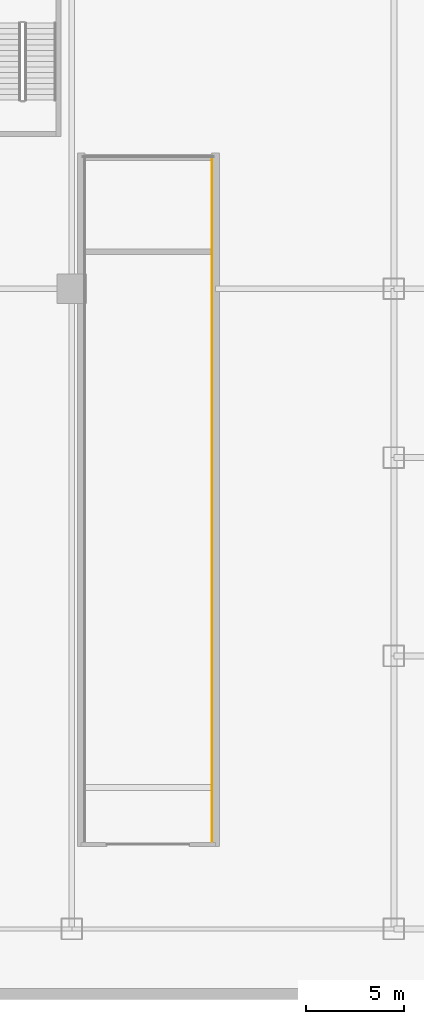
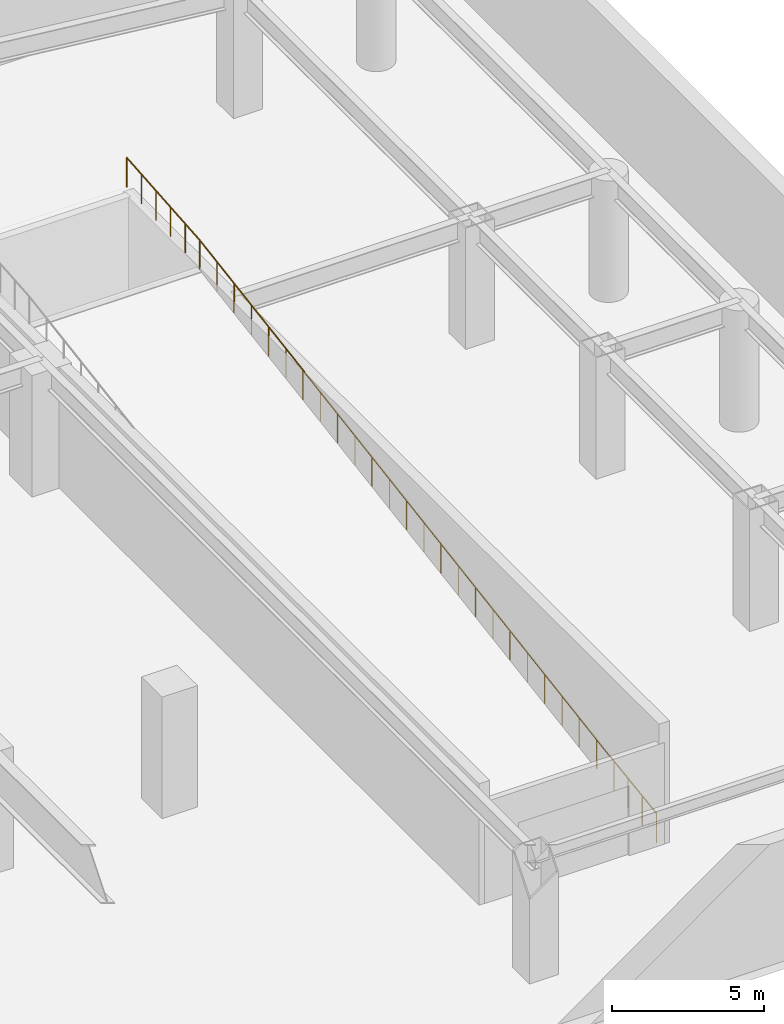
# One storey, part 13 of 13: 1 railing.
"""IFC4 building model written with IfcOpenShell, lengths in metres."""

from ifc_helpers import new_model, si_unit, direction, frame, origin, origin_2d, place, context, subcontext, project, spatial, circle, extrude, material, type_object, element, save


model = new_model("IFC4")

# Units and contexts
model_context = context("Model", 3, precision=1e-05, world=origin(), true_north=direction((0.0, 1.0)))
body_context = subcontext(model_context, "Body", "Model", "MODEL_VIEW")
ifc_project = project(units=[si_unit("LENGTHUNIT", "METRE"), si_unit("AREAUNIT", "SQUARE_METRE"), si_unit("VOLUMEUNIT", "CUBIC_METRE"), si_unit("PLANEANGLEUNIT", "RADIAN"), si_unit("MASSUNIT", "GRAM", prefix="KILO")], contexts=[model_context])

# Site, building, storey
site_placement = place(None, origin())
site = spatial("IfcSite", under=ifc_project, at=site_placement, CompositionType="ELEMENT")
building_placement = place(site_placement, origin())
building = spatial("IfcBuilding", under=site, at=building_placement, Name="Calvorn Quay Hotel", CompositionType="ELEMENT")
storey_placement = place(building_placement, frame((0.0, 0.0, -5.199951171875)))
storey = spatial("IfcBuildingStorey", under=building, at=storey_placement, Name="B1", CompositionType="ELEMENT", Elevation=-5.199951171875)

# Railing
ifc_material = material(Name="Pale Anodised Aluminium and Laminated Glass", Category="aluminium")
railing_type = type_object("IfcRailingType", Name="RLG-BALUSTRADE-1200", PredefinedType="BALUSTRADE", material=ifc_material)
railing_placement = place(storey_placement, frame((64.739990234375, 8.0, 0.0)))
element("IfcRailing", 1, at=railing_placement, inside=storey, type_object=railing_type, Name="Basement Vehicle Ramp Safety Guard E", PredefinedType="BALUSTRADE", context=body_context, shape_type="SweptSolid", body=[
    extrude(circle(Radius=0.02392578125, at=origin_2d()), frame((0.0, 0.0, 1.17578125), z_axis=(0.0, 0.989954671939, 0.141385103552), x_axis=(-1.0, 0.0, 0.0)), (0.0, 0.0, 1.0), 2.828369140625),
    extrude(circle(Radius=0.02392578125, at=origin_2d()), frame((0.0, 2.800048828125, 1.57568359375), z_axis=(0.0, 0.987240314238, 0.159237438885), x_axis=(-1.0, 0.0, 0.0)), (0.0, 0.0, 1.0), 27.632568359375),
    extrude(circle(Radius=0.02392578125, at=origin_2d()), frame((0.0, 30.080078125, 5.97607421875), z_axis=(0.0, 0.996547156423, 0.083028700011), x_axis=(-1.0, 0.0, 0.0)), (0.0, 0.0, 1.0), 4.81640625),
    extrude(circle(Radius=0.02099609375, at=origin_2d()), origin(), (0.0, 0.0, 1.0), 1.15185546875),
    extrude(circle(Radius=0.02099609375, at=origin_2d()), frame((0.0, 0.933349609375, 0.13330078125)), (0.0, 0.0, 1.0), 1.15185546875),
    extrude(circle(Radius=0.02099609375, at=origin_2d()), frame((0.0, 1.86669921875, 0.2666015625)), (0.0, 0.0, 1.0), 1.15185546875),
    extrude(circle(Radius=0.02099609375, at=origin_2d()), frame((0.0, 2.800048828125, 0.39990234375)), (0.0, 0.0, 1.0), 1.15185546875),
    extrude(circle(Radius=0.02099609375, at=origin_2d()), frame((0.0, 3.936767578125, 0.583251953125)), (0.0, 0.0, 1.0), 1.15185546875),
    extrude(circle(Radius=0.02099609375, at=origin_2d()), frame((0.0, 5.073486328125, 0.7666015625)), (0.0, 0.0, 1.0), 1.15185546875),
    extrude(circle(Radius=0.02099609375, at=origin_2d()), frame((0.0, 6.2099609375, 0.949951171875)), (0.0, 0.0, 1.0), 1.15185546875),
    extrude(circle(Radius=0.02099609375, at=origin_2d()), frame((0.0, 7.3466796875, 1.13330078125)), (0.0, 0.0, 1.0), 1.15185546875),
    extrude(circle(Radius=0.02099609375, at=origin_2d()), frame((0.0, 8.4833984375, 1.316650390625)), (0.0, 0.0, 1.0), 1.15185546875),
    extrude(circle(Radius=0.02099609375, at=origin_2d()), frame((0.0, 9.6201171875, 1.5)), (0.0, 0.0, 1.0), 1.15185546875),
    extrude(circle(Radius=0.02099609375, at=origin_2d()), frame((0.0, 10.7568359375, 1.683349609375)), (0.0, 0.0, 1.0), 1.15185546875),
    extrude(circle(Radius=0.02099609375, at=origin_2d()), frame((0.0, 11.893310546875, 1.86669921875)), (0.0, 0.0, 1.0), 1.15185546875),
    extrude(circle(Radius=0.02099609375, at=origin_2d()), frame((0.0, 13.030029296875, 2.050048828125)), (0.0, 0.0, 1.0), 1.15185546875),
    extrude(circle(Radius=0.02099609375, at=origin_2d()), frame((0.0, 14.166748046875, 2.2333984375)), (0.0, 0.0, 1.0), 1.15185546875),
    extrude(circle(Radius=0.02099609375, at=origin_2d()), frame((0.0, 15.303466796875, 2.416748046875)), (0.0, 0.0, 1.0), 1.15185546875),
    extrude(circle(Radius=0.02099609375, at=origin_2d()), frame((0.0, 16.43994140625, 2.60009765625)), (0.0, 0.0, 1.0), 1.15185546875),
    extrude(circle(Radius=0.02099609375, at=origin_2d()), frame((0.0, 17.57666015625, 2.783203125)), (0.0, 0.0, 1.0), 1.15185546875),
    extrude(circle(Radius=0.02099609375, at=origin_2d()), frame((0.0, 18.71337890625, 2.966552734375)), (0.0, 0.0, 1.0), 1.15185546875),
    extrude(circle(Radius=0.02099609375, at=origin_2d()), frame((0.0, 19.85009765625, 3.14990234375)), (0.0, 0.0, 1.0), 1.15185546875),
    extrude(circle(Radius=0.02099609375, at=origin_2d()), frame((0.0, 20.98681640625, 3.333251953125)), (0.0, 0.0, 1.0), 1.15185546875),
    extrude(circle(Radius=0.02099609375, at=origin_2d()), frame((0.0, 22.123291015625, 3.5166015625)), (0.0, 0.0, 1.0), 1.15185546875),
    extrude(circle(Radius=0.02099609375, at=origin_2d()), frame((0.0, 23.260009765625, 3.699951171875)), (0.0, 0.0, 1.0), 1.15185546875),
    extrude(circle(Radius=0.02099609375, at=origin_2d()), frame((0.0, 24.396728515625, 3.88330078125)), (0.0, 0.0, 1.0), 1.15185546875),
    extrude(circle(Radius=0.02099609375, at=origin_2d()), frame((0.0, 25.533447265625, 4.066650390625)), (0.0, 0.0, 1.0), 1.15185546875),
    extrude(circle(Radius=0.02099609375, at=origin_2d()), frame((0.0, 26.670166015625, 4.25)), (0.0, 0.0, 1.0), 1.15185546875),
    extrude(circle(Radius=0.02099609375, at=origin_2d()), frame((0.0, 27.806640625, 4.433349609375)), (0.0, 0.0, 1.0), 1.15185546875),
    extrude(circle(Radius=0.02099609375, at=origin_2d()), frame((0.0, 28.943359375, 4.61669921875)), (0.0, 0.0, 1.0), 1.15185546875),
    extrude(circle(Radius=0.02099609375, at=origin_2d()), frame((0.0, 30.080078125, 4.800048828125)), (0.0, 0.0, 1.0), 1.15185546875),
    extrude(circle(Radius=0.02099609375, at=origin_2d()), frame((0.0, 31.0400390625, 4.880126953125)), (0.0, 0.0, 1.0), 1.15185546875),
    extrude(circle(Radius=0.02099609375, at=origin_2d()), frame((0.0, 32.0, 4.9599609375)), (0.0, 0.0, 1.0), 1.15185546875),
    extrude(circle(Radius=0.02099609375, at=origin_2d()), frame((0.0, 32.9599609375, 5.0400390625)), (0.0, 0.0, 1.0), 1.15185546875),
    extrude(circle(Radius=0.02099609375, at=origin_2d()), frame((0.0, 33.919921875, 5.119873046875)), (0.0, 0.0, 1.0), 1.15185546875),
    extrude(circle(Radius=0.02099609375, at=origin_2d()), frame((0.0, 34.8798828125, 5.199951171875)), (0.0, 0.0, 1.0), 1.15185546875),
])

save(model, "model.ifc")
